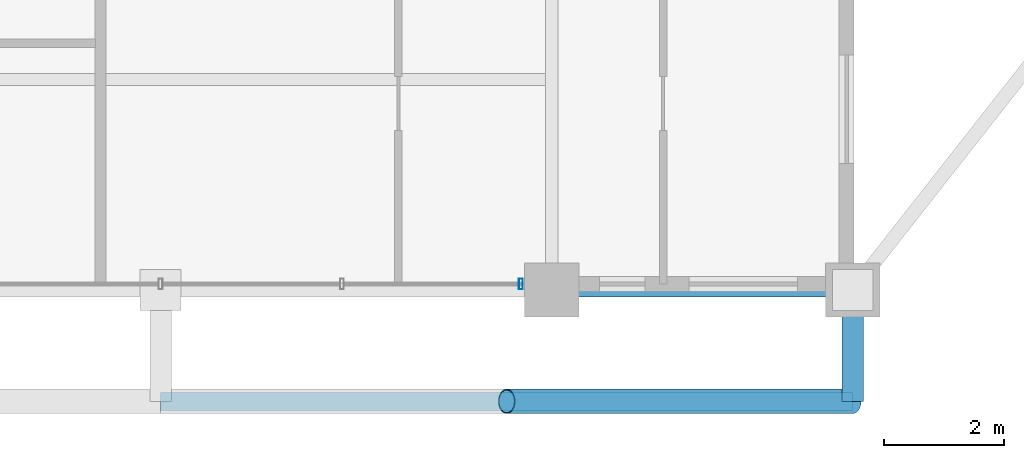
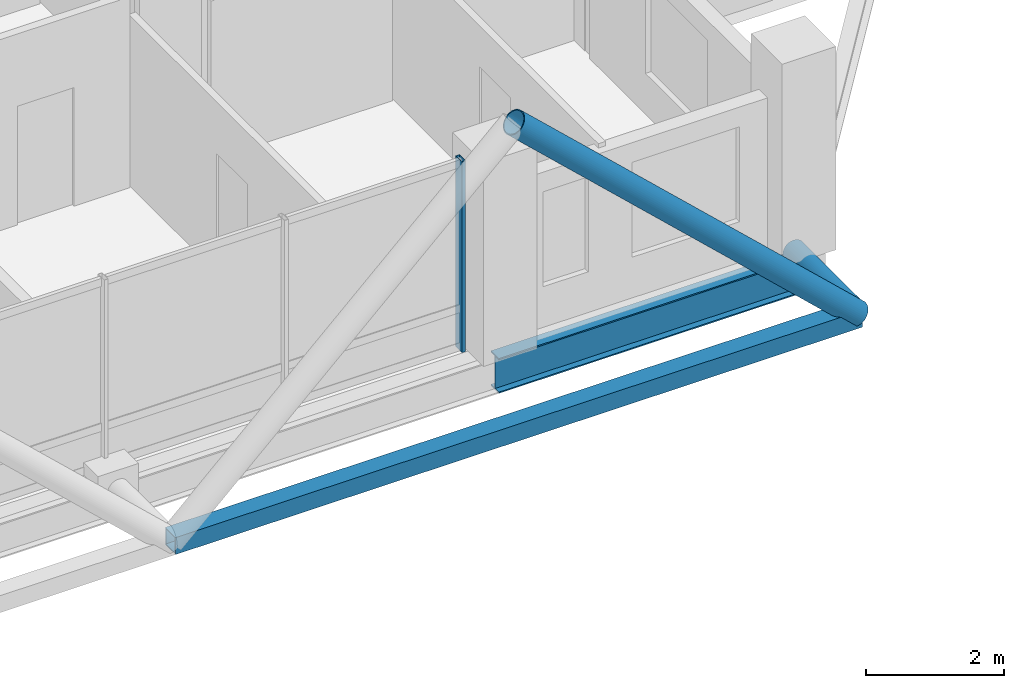
# One storey, part 6 of 21: 4 members, 1 beam, 1 element without a shape of its own.
"""IFC4 building model written with IfcOpenShell, lengths in metres."""

from ifc_helpers import new_model, si_unit, direction, frame, origin, origin_2d, place, context, subcontext, project, spatial, hollow_rectangle, hollow_circle, i_section, extrude, material, layer, layer_set, material_profile, profile_set, type_object, element, aggregate, save


model = new_model("IFC4")

# Units and contexts
model_context = context("Model", 3, precision=1e-05, world=origin(), true_north=direction((0.0, 1.0)))
body_context = subcontext(model_context, "Body", "Model", "MODEL_VIEW")
ifc_project = project(units=[si_unit("LENGTHUNIT", "METRE"), si_unit("AREAUNIT", "SQUARE_METRE"), si_unit("VOLUMEUNIT", "CUBIC_METRE"), si_unit("PLANEANGLEUNIT", "RADIAN"), si_unit("MASSUNIT", "GRAM", prefix="KILO")], contexts=[model_context])

# Site, building, storey
site_placement = place(None, origin())
site = spatial("IfcSite", under=ifc_project, at=site_placement, CompositionType="ELEMENT")
building_placement = place(site_placement, origin())
building = spatial("IfcBuilding", under=site, at=building_placement, Name="Barlavira Tower and Art Museum", CompositionType="ELEMENT")
storey_placement = place(building_placement, frame((0.0, 0.0, 261.89990234375)))
storey = spatial("IfcBuildingStorey", under=building, at=storey_placement, Name="L68", CompositionType="ELEMENT", Elevation=261.89990234375)

# Curtain wall, member
ifc_material_1 = material(Name="Low-iron coastal laminated glass", Category="glass")
ifc_layer = layer(ifc_material_1, 0.2099609375, Name="Low-iron coastal laminated glass")
ifc_layer_set = layer_set([ifc_layer], Name="Low-iron coastal laminated glass")
curtain_wall_type = type_object("IfcCurtainWallType", Name="Pale-Metal Unitised Curtain Wall Zone 4", PredefinedType="NOTDEFINED", material=ifc_layer_set)
curtain_wall_placement = place(storey_placement, origin())
curtain_wall = element("IfcCurtainWall", 1, at=curtain_wall_placement, inside=storey, type_object=curtain_wall_type, Name="L68 Curtain Wall CW4-L68-S-B2", PredefinedType="NOTDEFINED")
ifc_material_2 = material(Name="Pale anodised aluminium", Category="aluminium")
ifc_material_profile_1 = material_profile(ifc_material_2, hollow_rectangle(XDim=0.06494140625, YDim=0.179931640625, WallThickness=0.00390625, at=origin_2d()), Name="ALU-MULL 65x180x4")
ifc_profile_set_1 = profile_set([ifc_material_profile_1], Name="Pale anodised aluminium")
member_type_1 = type_object("IfcMemberType", Name="Curtain Wall Pale-Metal Mullion 65x180", PredefinedType="MULLION", material=ifc_profile_set_1)
member_1_placement = place(storey_placement, frame((5.985107421875, -19.89990234375, 0.0), z_axis=(0.0, 0.0, 1.0), x_axis=(1.0, 0.0, 0.0)))
member_1 = element("IfcMember", 2, at=member_1_placement, type_object=member_type_1, Name="CW4-L68-S-B2 Mullion 4", PredefinedType="MULLION", context=body_context, shape_type="SweptSolid", body=[
    extrude(hollow_rectangle(XDim=0.06494140625, YDim=0.179931640625, WallThickness=0.00390625, at=origin_2d()), origin(), (0.0, 0.0, 1.0), 3.380126953125),
])
aggregate(curtain_wall, [member_1])

# Members
ifc_material_3 = material(Name="Steel S355", Category="steel")
ifc_material_profile_2 = material_profile(ifc_material_3, hollow_circle(Radius=0.203125, WallThickness=0.01611328125, at=origin_2d()), Name="CHS 406.4x16.0")
ifc_profile_set_2 = profile_set([ifc_material_profile_2], Name="Steel S355")
member_type_2 = type_object("IfcMemberType", Name="Pale-Metal Exoskeleton Diagrid Tube CHS 406x16 Steel S355", PredefinedType="BRACE", material=ifc_profile_set_2)
member_2_placement = place(storey_placement, frame((11.5, -21.85009765625, -0.119873046875), z_axis=(-0.728950095515, 0.0, 0.684566839869), x_axis=(0.0, -1.0, 0.0)))
element("IfcMember", 3, at=member_2_placement, inside=storey, type_object=member_type_2, Name="L68 Exoskeleton Diagrid Tube S", PredefinedType="BRACE", context=body_context, shape_type="SweptSolid", body=[
    extrude(hollow_circle(Radius=0.203125, WallThickness=0.01611328125, at=origin_2d()), origin(), (0.0, 0.0, 1.0), 7.887939453125),
])
ifc_material_profile_3 = material_profile(ifc_material_3, hollow_circle(Radius=0.177734375, WallThickness=0.01611328125, at=origin_2d()), Name="CHS 355.6x16.0")
ifc_profile_set_3 = profile_set([ifc_material_profile_3], Name="Steel S355")
member_type_3 = type_object("IfcMemberType", Name="Pale-Metal Exoskeleton Tie Strut CHS 356x16 Steel S355", PredefinedType="STRUT", material=ifc_profile_set_3)
member_3_placement = place(storey_placement, frame((11.5, -21.85009765625, -0.119873046875), z_axis=(0.0, 1.0, 0.0), x_axis=(-1.0, 0.0, 0.0)))
element("IfcMember", 4, at=member_3_placement, inside=storey, type_object=member_type_3, Name="L68 Exoskeleton Tie Strut S3", PredefinedType="STRUT", context=body_context, shape_type="SweptSolid", body=[
    extrude(hollow_circle(Radius=0.177734375, WallThickness=0.01611328125, at=origin_2d()), origin(), (0.0, 0.0, 1.0), 1.85009765625),
])
ifc_material_profile_4 = material_profile(ifc_material_3, hollow_rectangle(XDim=0.300048828125, YDim=0.300048828125, WallThickness=0.01611328125, at=origin_2d()), Name="SHS 300x300x16.0")
ifc_profile_set_4 = profile_set([ifc_material_profile_4], Name="Steel S355")
member_type_4 = type_object("IfcMemberType", Name="Pale-Metal Upper Ring Strut SHS 300x300x16 Steel S355", PredefinedType="STRUT", material=ifc_profile_set_4)
member_4_placement = place(storey_placement, frame((0.0, -21.85009765625, -0.119873046875), z_axis=(1.0, 0.0, 0.0), x_axis=(0.0, 1.0, 0.0)))
element("IfcMember", 5, at=member_4_placement, inside=storey, type_object=member_type_4, Name="L68 Exoskeleton Ring Strut S", PredefinedType="STRUT", context=body_context, shape_type="SweptSolid", body=[
    extrude(hollow_rectangle(XDim=0.300048828125, YDim=0.300048828125, WallThickness=0.01611328125, at=origin_2d()), origin(), (0.0, 0.0, 1.0), 11.5),
])

# Beam
ifc_material_profile_5 = material_profile(ifc_material_3, i_section(OverallWidth=0.22998046875, OverallDepth=0.616943359375, WebThickness=0.01318359375, FlangeThickness=0.022216796875, at=origin_2d()), Name="W610x140.0")
ifc_profile_set_5 = profile_set([ifc_material_profile_5], Name="Steel S355")
beam_type = type_object("IfcBeamType", Name="Upper Shaft Spandrel Edge Beam W610x140 Steel S355", PredefinedType="SPANDREL", material=ifc_profile_set_5)
beam_placement = place(storey_placement, frame((6.5, -20.0, -0.5283203125), z_axis=(1.0, 0.0, 0.0), x_axis=(0.0, 1.0, 0.0)))
element("IfcBeam", 6, at=beam_placement, inside=storey, type_object=beam_type, Name="L68 Spandrel 3", PredefinedType="SPANDREL", context=body_context, shape_type="SweptSolid", body=[
    extrude(i_section(OverallWidth=0.22998046875, OverallDepth=0.616943359375, WebThickness=0.01318359375, FlangeThickness=0.022216796875, at=origin_2d()), origin(), (0.0, 0.0, 1.0), 5.0),
])

save(model, "model.ifc")
